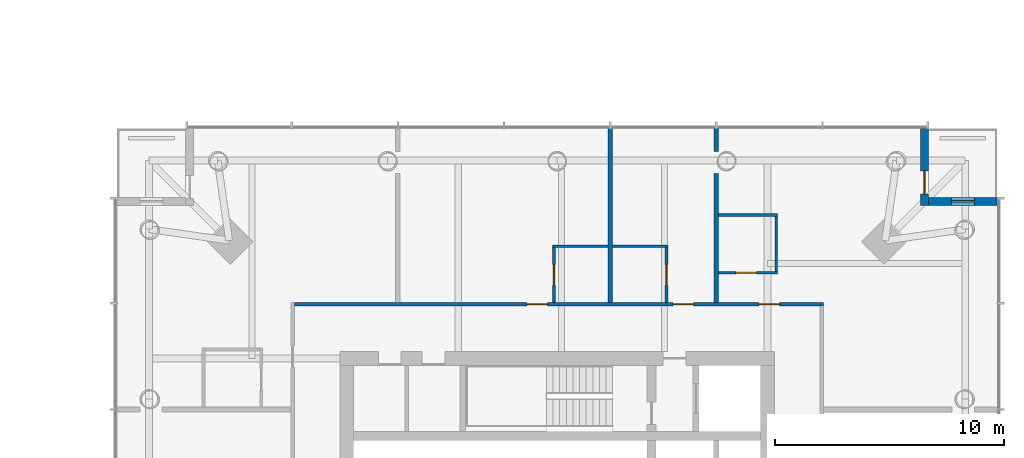
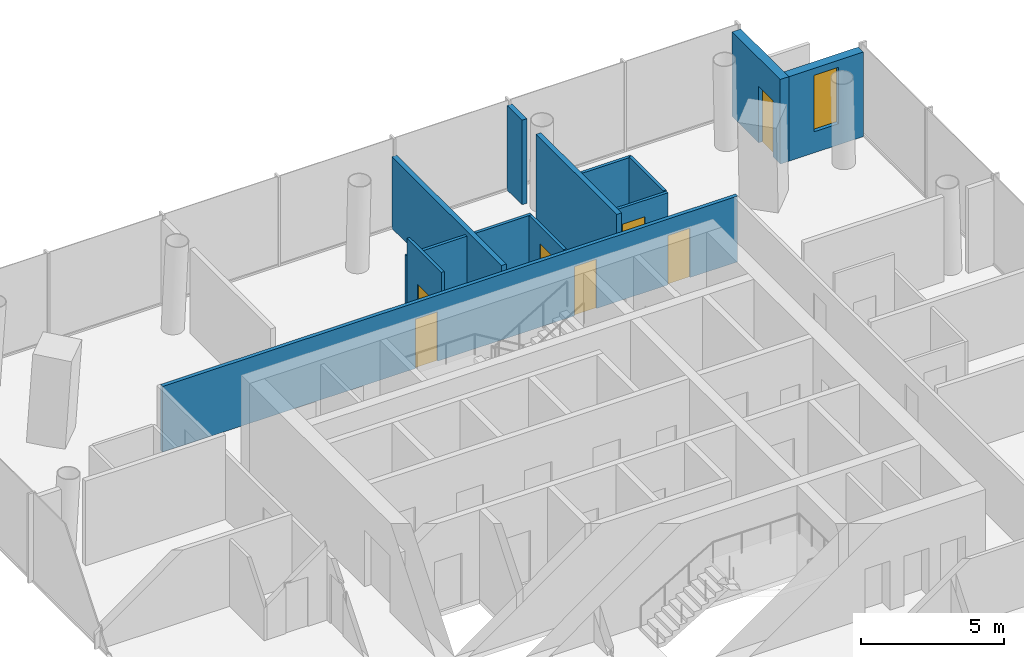
# One storey, part 17 of 21: 13 walls, 7 doors, 1 window, 8 openings.
"""IFC4 building model written with IfcOpenShell, lengths in metres."""

import ifcopenshell
import ifcopenshell.guid

model = None  # the IFC model being written
_history = None  # IfcOwnerHistory: only IFC2X3 demands one
_inside = {}  # id of a spatial element -> (the spatial element, [elements in it])
_under = {}  # id of a project, library or spatial element -> (it, [spatial elements below it])
_declared = {}  # id of a project -> (the project, [libraries it declares])
_typed = {}  # id of a type object -> (the type object, [elements of that type])
_made_of = {}  # id of a material, layer set ... -> (it, [elements and type objects made of it])


def new_model(schema):
    """Start an empty IFC model of exactly this schema.

    Asked for "IFC4X3", IfcOpenShell would pick the latest addendum, in which some entities
    have other attributes; the version numbers below select the first issue.
    IFC2X3 requires an IfcOwnerHistory on every rooted entity: one is made here for all.
    """
    global model, _history
    if schema == "IFC4X3":
        model = ifcopenshell.file(schema_version=(4, 3, 0, 0))
    else:
        model = ifcopenshell.file(schema=schema)
    _inside.clear()
    _under.clear()
    _declared.clear()
    _typed.clear()
    _made_of.clear()
    _history = None
    if model.schema == "IFC2X3":
        org = make("IfcOrganization", Name="unknown")
        user = make(
            "IfcPersonAndOrganization",
            ThePerson=make("IfcPerson", FamilyName="unknown"),
            TheOrganization=org,
        )
        app = make(
            "IfcApplication",
            ApplicationDeveloper=org,
            Version="unknown",
            ApplicationFullName="unknown",
            ApplicationIdentifier="unknown",
        )
        _history = make(
            "IfcOwnerHistory",
            OwningUser=user,
            OwningApplication=app,
            ChangeAction="ADDED",
            CreationDate=0,
        )
    return model


def make(cls, **values):
    """One entity of the class cls with the attributes given. An attribute that is None is left unset."""
    return model.create_entity(
        cls, **{name: value for name, value in values.items() if value is not None}
    )


def rooted(cls, **values):
    """An entity with a GlobalId (a new one), such as an element, a storey or a relation."""
    return make(cls, GlobalId=ifcopenshell.guid.new(), OwnerHistory=_history, **values)


def si_unit(unit_type, name, prefix=None):
    """IfcSIUnit, for example si_unit("LENGTHUNIT", "METRE", prefix="MILLI")."""
    return make("IfcSIUnit", UnitType=unit_type, Prefix=prefix, Name=name)


def assignment(units):
    """IfcUnitAssignment: the units of a project."""
    return None if units is None else make("IfcUnitAssignment", Units=units)


def point(xyz):
    """IfcCartesianPoint."""
    return None if xyz is None else make("IfcCartesianPoint", Coordinates=xyz)


def direction(xyz):
    """IfcDirection."""
    return None if xyz is None else make("IfcDirection", DirectionRatios=xyz)


def frame(location, z_axis=None, x_axis=None):
    """IfcAxis2Placement3D, a coordinate frame: its origin and axes. An axis left out is left unset."""
    return make(
        "IfcAxis2Placement3D",
        Location=point(location),
        Axis=direction(z_axis),
        RefDirection=direction(x_axis),
    )


def frame_2d(location, x_axis=None):
    """IfcAxis2Placement2D, a coordinate frame in the plane: its origin and x axis."""
    return make(
        "IfcAxis2Placement2D", Location=point(location), RefDirection=direction(x_axis)
    )


def origin():
    """The frame at (0, 0, 0) with its axes left unset."""
    return frame((0.0, 0.0, 0.0))


def place(relative_to, where):
    """IfcLocalPlacement: puts the frame where relative to a parent placement (None: the world)."""
    return make(
        "IfcLocalPlacement", PlacementRelTo=relative_to, RelativePlacement=where
    )


def context(
    kind, dimensions, precision=None, world=None, true_north=None, identifier=None
):
    """IfcGeometricRepresentationContext, for example the 3D "Model" context."""
    return make(
        "IfcGeometricRepresentationContext",
        ContextIdentifier=identifier,
        ContextType=kind,
        CoordinateSpaceDimension=dimensions,
        Precision=precision,
        WorldCoordinateSystem=world,
        TrueNorth=true_north,
    )


def subcontext(parent, identifier, kind, view, scale=None):
    """IfcGeometricRepresentationSubContext, for example "Body" below "Model"."""
    return make(
        "IfcGeometricRepresentationSubContext",
        ContextIdentifier=identifier,
        ContextType=kind,
        ParentContext=parent,
        TargetScale=scale,
        TargetView=view,
    )


def project(units=None, contexts=None):
    """IfcProject with its units and contexts."""
    return rooted(
        "IfcProject",
        Name="project",
        RepresentationContexts=contexts,
        UnitsInContext=assignment(units),
    )


def spatial(cls, under=None, at=None, **own):
    """A site, building, storey or space (cls), placed at a placement, below another one or the project."""
    s = rooted(cls, ObjectPlacement=at, **own)
    if under is not None:
        _under.setdefault(under.id(), (under, []))[1].append(s)
    return s


def profile(cls, at=None, kind="AREA", **sizes):
    """A parametric profile (cls). Its sizes go by their IFC names, for example OverallWidth=200.0."""
    return make(cls, ProfileType=kind, Position=at, **sizes)


def rectangle(**sizes):
    """IfcRectangleProfileDef."""
    return profile("IfcRectangleProfileDef", **sizes)


def extrude(swept, where, along, depth):
    """IfcExtrudedAreaSolid: the profile swept, set in the frame where, extruded along a direction by depth."""
    return make(
        "IfcExtrudedAreaSolid",
        SweptArea=swept,
        Position=where,
        ExtrudedDirection=direction(along),
        Depth=depth,
    )


def shape(context_of_items, identifier, shape_type, items):
    """IfcShapeRepresentation: the items that make up one representation, for example the "Body"."""
    return make(
        "IfcShapeRepresentation",
        ContextOfItems=context_of_items,
        RepresentationIdentifier=identifier,
        RepresentationType=shape_type,
        Items=items,
    )


def material(Name=None, Category=None):
    """IfcMaterial."""
    return make("IfcMaterial", Name=Name, Category=Category)


def layer(
    of_material, thickness, ventilated=None, Name=None, Category=None, Priority=None
):
    """IfcMaterialLayer: one layer of a wall or slab, of a material (None: an air gap)."""
    return make(
        "IfcMaterialLayer",
        Material=of_material,
        LayerThickness=thickness,
        IsVentilated=ventilated,
        Name=Name,
        Category=Category,
        Priority=Priority,
    )


def layer_set(layers, Name=None):
    """IfcMaterialLayerSet."""
    return make("IfcMaterialLayerSet", MaterialLayers=layers, LayerSetName=Name)


def made_of(thing, what):
    """Note that an element or type object is made of a material, layer set ...; save() writes the relation."""
    if what is not None:
        _made_of.setdefault(what.id(), (what, []))[1].append(thing)
    return thing


def type_object(cls, material=None, **own):
    """A type object (cls), such as IfcWallType, which elements share."""
    return made_of(rooted(cls, **own), material)


def element(
    cls,
    number,
    at=None,
    inside=None,
    cuts=None,
    type_object=None,
    material=None,
    context=None,
    identifier="Body",
    shape_type=None,
    held_by="IfcProductDefinitionShape",
    body=None,
    shapes=None,
    **own,
):
    """One element of the class cls, such as IfcWall. Its Tag is "e" and its number.

    at: its placement. inside: the storey or other place that contains it. cuts: it is an
    opening in that element (IfcRelVoidsElement). A single representation is given by context,
    identifier, shape_type and body (its items); several are given by shapes. held_by: the class
    of the entity that holds the representations. save() writes the other relations.
    """
    e = rooted(cls, Tag="e%d" % number, ObjectPlacement=at, **own)
    if body is not None:
        shapes = [shape(context, identifier, shape_type, body)]
    if shapes is not None:
        e.Representation = make(held_by, Representations=shapes)
    if inside is not None:
        _inside.setdefault(inside.id(), (inside, []))[1].append(e)
    if cuts is not None:
        rooted(
            "IfcRelVoidsElement", RelatingBuildingElement=cuts, RelatedOpeningElement=e
        )
    if type_object is not None:
        _typed.setdefault(type_object.id(), (type_object, []))[1].append(e)
    return made_of(e, material)


def fill(opening, filler):
    """IfcRelFillsElement: the door or window that sits in an opening."""
    return rooted(
        "IfcRelFillsElement",
        RelatingOpeningElement=opening,
        RelatedBuildingElement=filler,
    )


def aggregate(whole, parts):
    """IfcRelAggregates: a whole, such as a stair, and the parts it consists of."""
    return rooted("IfcRelAggregates", RelatingObject=whole, RelatedObjects=parts)


def save(model, path):
    """Write the relations noted so far, then the file.

    IfcRelAggregates (storeys below a building ...), IfcRelContainedInSpatialStructure (elements
    in a storey), IfcRelDefinesByType, IfcRelAssociatesMaterial and IfcRelDeclares: one each for
    every whole, place, type object, material and project.
    """
    for whole, parts in _under.values():
        aggregate(whole, parts)
    for where, things in _inside.values():
        rooted(
            "IfcRelContainedInSpatialStructure",
            RelatedElements=things,
            RelatingStructure=where,
        )
    for kind, things in _typed.values():
        rooted("IfcRelDefinesByType", RelatedObjects=things, RelatingType=kind)
    for what, things in _made_of.values():
        rooted("IfcRelAssociatesMaterial", RelatedObjects=things, RelatingMaterial=what)
    for by, libraries in _declared.values():
        rooted("IfcRelDeclares", RelatingContext=by, RelatedDefinitions=libraries)
    model.write(path)


model = new_model("IFC4")

# Units and contexts
model_context = context("Model", 3, precision=1e-05, world=origin(), true_north=direction((0.0, 1.0)))
body_context = subcontext(model_context, "Body", "Model", "MODEL_VIEW")
ifc_project = project(units=[si_unit("LENGTHUNIT", "METRE"), si_unit("AREAUNIT", "SQUARE_METRE"), si_unit("VOLUMEUNIT", "CUBIC_METRE"), si_unit("PLANEANGLEUNIT", "RADIAN"), si_unit("MASSUNIT", "GRAM", prefix="KILO")], contexts=[model_context])

# Site, building, storey
site_placement = place(None, origin())
site = spatial("IfcSite", under=ifc_project, at=site_placement, CompositionType="ELEMENT")
building_placement = place(site_placement, origin())
building = spatial("IfcBuilding", under=site, at=building_placement, Name="Ostroluk Exchange", CompositionType="ELEMENT")
storey_placement = place(building_placement, frame((0.0, 0.0, 47.60009765625)))
storey = spatial("IfcBuildingStorey", under=building, at=storey_placement, Name="L11", CompositionType="ELEMENT", Elevation=47.60009765625)

# Wall, opening, door
ifc_material_1 = material(Name="Limestone", Category="masonry")
ifc_layer_1 = layer(ifc_material_1, 0.35009765625)
ifc_layer_set_1 = layer_set([ifc_layer_1], Name="Limestone facade wall 350")
wall_type_1 = type_object("IfcWallType", Name="Limestone facade wall 350", PredefinedType="SOLIDWALL", material=ifc_layer_set_1)
wall_1_placement = place(storey_placement, frame((133.074951171875, 65.25, 0.0), z_axis=(0.0, 0.0, 1.0), x_axis=(0.0, -1.0, 0.0)))
wall_1 = element("IfcWall", 1, at=wall_1_placement, inside=storey, type_object=wall_type_1, Name="Hotel tower NE corner wall L11 a", PredefinedType="SOLIDWALL", context=body_context, shape_type="SweptSolid", body=[
    extrude(rectangle(XDim=3.35009765625, YDim=0.35009765625, at=frame_2d((1.675048828125, 0.0))), origin(), (0.0, 0.0, 1.0), 3.599853515625),
])
opening_1_placement = place(wall_1_placement, frame((1.85009765625, 0.0, 0.0)))
opening_1 = element("IfcOpeningElement", 2, at=opening_1_placement, cuts=wall_1, Name="Opening D-B1", PredefinedType="OPENING", context=body_context, shape_type="SweptSolid", body=[
    extrude(rectangle(XDim=1.0, YDim=2.39990234375, at=frame_2d((0.5, 1.199951171875))), frame((0.0, 0.18505859375, 0.0), z_axis=(0.0, -1.0, 0.0), x_axis=(1.0, 0.0, 0.0)), (0.0, 0.0, 1.0), 0.3701171875),
])
ifc_material_2 = material(Name="Bronze framed glazed door", Category="aluminium")
door_type_1 = type_object("IfcDoorType", Name="Balcony door 1000 x 2400", OperationType="SINGLE_SWING_LEFT", PredefinedType="DOOR", material=ifc_material_2)
door_1_placement = place(opening_1_placement, origin())
door_1 = element("IfcDoor", 3, at=door_1_placement, inside=storey, type_object=door_type_1, Name="Hotel tower NE balcony door L11", OperationType="SINGLE_SWING_RIGHT", OverallHeight=2.39990234375, OverallWidth=1.0, PredefinedType="DOOR", context=body_context, shape_type="SweptSolid", body=[
    extrude(rectangle(XDim=1.0, YDim=2.39990234375, at=frame_2d((0.5, 1.199951171875))), frame((0.0, 0.02490234375, 0.0), z_axis=(0.0, -1.0, 0.0), x_axis=(1.0, 0.0, 0.0)), (0.0, 0.0, 1.0), 0.050048828125),
])
fill(opening_1, door_1)

# Wall, opening, window
wall_2_placement = place(storey_placement, frame((133.25, 62.074951171875, 0.0), z_axis=(0.0, 0.0, 1.0), x_axis=(1.0, 0.0, 0.0)))
wall_2 = element("IfcWall", 4, at=wall_2_placement, inside=storey, type_object=wall_type_1, Name="Hotel tower NE corner wall L11 b", PredefinedType="SOLIDWALL", context=body_context, shape_type="SweptSolid", body=[
    extrude(rectangle(XDim=3.0, YDim=0.35009765625, at=frame_2d((1.5, 0.0))), origin(), (0.0, 0.0, 1.0), 3.599853515625),
])
opening_2_placement = place(wall_2_placement, frame((1.0, 0.0, 0.89990234375)))
opening_2 = element("IfcOpeningElement", 5, at=opening_2_placement, cuts=wall_2, Name="Opening WN-L3", PredefinedType="OPENING", context=body_context, shape_type="SweptSolid", body=[
    extrude(rectangle(XDim=1.0, YDim=2.39990234375, at=frame_2d((0.5, 1.199951171875))), frame((0.0, 0.18505859375, 0.0), z_axis=(0.0, -1.0, 0.0), x_axis=(1.0, 0.0, 0.0)), (0.0, 0.0, 1.0), 0.3701171875),
])
ifc_material_3 = material(Name="Laminated clear glass", Category="glass")
window_type = type_object("IfcWindowType", Name="Hotel lancet window 1000 x 2400", PartitioningType="SINGLE_PANEL", PredefinedType="WINDOW", material=ifc_material_3)
window_placement = place(opening_2_placement, origin())
window = element("IfcWindow", 6, at=window_placement, inside=storey, type_object=window_type, Name="Hotel tower NE lancet window L11", OverallHeight=2.39990234375, OverallWidth=1.0, PartitioningType="SINGLE_PANEL", PredefinedType="WINDOW", context=body_context, shape_type="SweptSolid", body=[
    extrude(rectangle(XDim=1.0, YDim=2.39990234375, at=frame_2d((0.5, 1.199951171875))), frame((0.0, 0.030029296875, 0.0), z_axis=(0.0, -1.0, 0.0), x_axis=(1.0, 0.0, 0.0)), (0.0, 0.0, 1.0), 0.06005859375),
])
fill(opening_2, window)

# Wall, opening, door
ifc_material_4 = material(Name="Gypsum plasterboard partition, moisture resistant", Category="gypsum")
ifc_layer_2 = layer(ifc_material_4, 0.1201171875)
ifc_layer_set_2 = layer_set([ifc_layer_2], Name="Plasterboard en-suite wall 120")
wall_type_2 = type_object("IfcWallType", Name="Plasterboard en-suite wall 120", PredefinedType="PARTITIONING", material=ifc_layer_set_2)
wall_3_placement = place(storey_placement, frame((124.064208984375, 58.949951171875, 0.0), z_axis=(0.0, 0.0, 1.0), x_axis=(1.0, 0.0, 0.0)))
wall_3 = element("IfcWall", 7, at=wall_3_placement, inside=storey, type_object=wall_type_2, Name="En-suite wall", PredefinedType="PARTITIONING", context=body_context, shape_type="SweptSolid", body=[
    extrude(rectangle(XDim=2.580078125, YDim=0.1201171875, at=frame_2d((1.2900390625, 0.0))), origin(), (0.0, 0.0, 1.0), 2.7998046875),
])
opening_3_placement = place(wall_3_placement, frame((0.75, 0.0, 0.0)))
opening_3 = element("IfcOpeningElement", 8, at=opening_3_placement, cuts=wall_3, Name="Opening D-02", PredefinedType="OPENING", context=body_context, shape_type="SweptSolid", body=[
    extrude(rectangle(XDim=0.89990234375, YDim=2.10009765625, at=frame_2d((0.449951171875, 1.050048828125))), frame((0.0, 0.070068359375, 0.0), z_axis=(0.0, -1.0, 0.0), x_axis=(1.0, 0.0, 0.0)), (0.0, 0.0, 1.0), 0.14013671875),
])
ifc_material_5 = material(Name="Timber", Category="wood")
door_type_2 = type_object("IfcDoorType", Name="En-suite door 900 x 2100", OperationType="SINGLE_SWING_LEFT", PredefinedType="DOOR", material=ifc_material_5)
door_2_placement = place(opening_3_placement, origin())
door_2 = element("IfcDoor", 9, at=door_2_placement, inside=storey, type_object=door_type_2, Name="En-suite door 1104", OperationType="SINGLE_SWING_LEFT", OverallHeight=2.10009765625, OverallWidth=0.89990234375, PredefinedType="DOOR", context=body_context, shape_type="SweptSolid", body=[
    extrude(rectangle(XDim=0.89990234375, YDim=2.10009765625, at=frame_2d((0.449951171875, 1.050048828125))), frame((0.0, 0.02490234375, 0.0), z_axis=(0.0, -1.0, 0.0), x_axis=(1.0, 0.0, 0.0)), (0.0, 0.0, 1.0), 0.050048828125),
])
fill(opening_3, door_2)

# Walls
wall_4_placement = place(storey_placement, frame((124.064208984375, 61.469970703125, 0.0), z_axis=(0.0, 0.0, 1.0), x_axis=(1.0, 0.0, 0.0)))
element("IfcWall", 10, at=wall_4_placement, inside=storey, type_object=wall_type_2, Name="En-suite wall", PredefinedType="PARTITIONING", context=body_context, shape_type="SweptSolid", body=[
    extrude(rectangle(XDim=2.580078125, YDim=0.1201171875, at=frame_2d((1.2900390625, 0.0))), origin(), (0.0, 0.0, 1.0), 2.7998046875),
])
wall_5_placement = place(storey_placement, frame((126.584228515625, 59.010009765625, 0.0), z_axis=(0.0, 0.0, 1.0), x_axis=(0.0, 1.0, 0.0)))
element("IfcWall", 11, at=wall_5_placement, inside=storey, type_object=wall_type_2, Name="En-suite wall", PredefinedType="PARTITIONING", context=body_context, shape_type="SweptSolid", body=[
    extrude(rectangle(XDim=2.39990234375, YDim=0.1201171875, at=frame_2d((1.199951171875, 0.0))), origin(), (0.0, 0.0, 1.0), 2.846923828125),
])
wall_6_placement = place(storey_placement, frame((121.84130859375, 60.110107421875, 0.0), z_axis=(0.0, 0.0, 1.0), x_axis=(-1.0, 0.0, 0.0)))
element("IfcWall", 12, at=wall_6_placement, inside=storey, type_object=wall_type_2, Name="En-suite wall", PredefinedType="PARTITIONING", context=body_context, shape_type="SweptSolid", body=[
    extrude(rectangle(XDim=2.419921875, YDim=0.1201171875, at=frame_2d((1.2099609375, 0.0))), origin(), (0.0, 0.0, 1.0), 2.846923828125),
])

# Wall, opening, door
wall_7_placement = place(storey_placement, frame((121.781494140625, 57.64990234375, 0.0), z_axis=(0.0, 0.0, 1.0), x_axis=(0.0, 1.0, 0.0)))
wall_7 = element("IfcWall", 13, at=wall_7_placement, inside=storey, type_object=wall_type_2, Name="En-suite wall", PredefinedType="PARTITIONING", context=body_context, shape_type="SweptSolid", body=[
    extrude(rectangle(XDim=2.400146484375, YDim=0.1201171875, at=frame_2d((1.2001953125, 0.0))), origin(), (0.0, 0.0, 1.0), 2.846923828125),
])
opening_4_placement = place(wall_7_placement, frame((0.75, 0.0, 0.0)))
opening_4 = element("IfcOpeningElement", 14, at=opening_4_placement, cuts=wall_7, Name="Opening D-02", PredefinedType="OPENING", context=body_context, shape_type="SweptSolid", body=[
    extrude(rectangle(XDim=0.89990234375, YDim=2.10009765625, at=frame_2d((0.449951171875, 1.050048828125))), frame((0.0, 0.070068359375, 0.0), z_axis=(0.0, -1.0, 0.0), x_axis=(1.0, 0.0, 0.0)), (0.0, 0.0, 1.0), 0.14013671875),
])
door_3_placement = place(opening_4_placement, origin())
door_3 = element("IfcDoor", 15, at=door_3_placement, inside=storey, type_object=door_type_2, Name="En-suite door 1105", OperationType="SINGLE_SWING_RIGHT", OverallHeight=2.10009765625, OverallWidth=0.89990234375, PredefinedType="DOOR", context=body_context, shape_type="SweptSolid", body=[
    extrude(rectangle(XDim=0.89990234375, YDim=2.10009765625, at=frame_2d((0.449951171875, 1.050048828125))), frame((0.0, 0.02490234375, 0.0), z_axis=(0.0, -1.0, 0.0), x_axis=(1.0, 0.0, 0.0)), (0.0, 0.0, 1.0), 0.050048828125),
])
fill(opening_4, door_3)

# Wall
wall_8_placement = place(storey_placement, frame((119.221435546875, 60.110107421875, 0.0), z_axis=(0.0, 0.0, 1.0), x_axis=(-1.0, 0.0, 0.0)))
element("IfcWall", 16, at=wall_8_placement, inside=storey, type_object=wall_type_2, Name="En-suite wall", PredefinedType="PARTITIONING", context=body_context, shape_type="SweptSolid", body=[
    extrude(rectangle(XDim=2.419921875, YDim=0.1201171875, at=frame_2d((1.2099609375, 0.0))), origin(), (0.0, 0.0, 1.0), 2.846923828125),
])

# Wall, opening, door
wall_9_placement = place(storey_placement, frame((116.861328125, 57.64990234375, 0.0), z_axis=(0.0, 0.0, 1.0), x_axis=(0.0, 1.0, 0.0)))
wall_9 = element("IfcWall", 17, at=wall_9_placement, inside=storey, type_object=wall_type_2, Name="En-suite wall", PredefinedType="PARTITIONING", context=body_context, shape_type="SweptSolid", body=[
    extrude(rectangle(XDim=2.400146484375, YDim=0.1201171875, at=frame_2d((1.2001953125, 0.0))), origin(), (0.0, 0.0, 1.0), 3.599853515625),
])
opening_5_placement = place(wall_9_placement, frame((0.75, 0.0, 0.0)))
opening_5 = element("IfcOpeningElement", 18, at=opening_5_placement, cuts=wall_9, Name="Opening D-02", PredefinedType="OPENING", context=body_context, shape_type="SweptSolid", body=[
    extrude(rectangle(XDim=0.89990234375, YDim=2.10009765625, at=frame_2d((0.449951171875, 1.050048828125))), frame((0.0, 0.070068359375, 0.0), z_axis=(0.0, -1.0, 0.0), x_axis=(1.0, 0.0, 0.0)), (0.0, 0.0, 1.0), 0.14013671875),
])
door_4_placement = place(opening_5_placement, origin())
door_4 = element("IfcDoor", 19, at=door_4_placement, inside=storey, type_object=door_type_2, Name="En-suite door 1106", OperationType="SINGLE_SWING_RIGHT", OverallHeight=2.10009765625, OverallWidth=0.89990234375, PredefinedType="DOOR", context=body_context, shape_type="SweptSolid", body=[
    extrude(rectangle(XDim=0.89990234375, YDim=2.10009765625, at=frame_2d((0.449951171875, 1.050048828125))), frame((0.0, 0.02490234375, 0.0), z_axis=(0.0, -1.0, 0.0), x_axis=(1.0, 0.0, 0.0)), (0.0, 0.0, 1.0), 0.050048828125),
])
fill(opening_5, door_4)

# Wall, openings, doors
ifc_material_6 = material(Name="Gypsum plasterboard partition", Category="gypsum")
ifc_layer_3 = layer(ifc_material_6, 0.14990234375)
ifc_layer_set_3 = layer_set([ifc_layer_3], Name="Plasterboard partition 150")
wall_type_3 = type_object("IfcWallType", Name="Plasterboard partition 150", PredefinedType="PARTITIONING", material=ifc_layer_set_3)
wall_10_placement = place(storey_placement, frame((128.64990234375, 57.574951171875, 0.0), z_axis=(0.0, 0.0, 1.0), x_axis=(-1.0, 0.0, 0.0)))
wall_10 = element("IfcWall", 20, at=wall_10_placement, inside=storey, type_object=wall_type_3, Name="Corridor wall", PredefinedType="PARTITIONING", context=body_context, shape_type="SweptSolid", body=[
    extrude(rectangle(XDim=23.14990234375, YDim=0.14990234375, at=frame_2d((11.574951171875, 0.0))), origin(), (0.0, 0.0, 1.0), 2.7998046875),
])
opening_6_placement = place(wall_10_placement, frame((1.91796875, 0.0, 0.0)))
opening_6 = element("IfcOpeningElement", 21, at=opening_6_placement, cuts=wall_10, Name="Opening D-01", PredefinedType="OPENING", context=body_context, shape_type="SweptSolid", body=[
    extrude(rectangle(XDim=0.89990234375, YDim=2.10009765625, at=frame_2d((0.449951171875, 1.050048828125))), frame((0.0, 0.0849609375, 0.0), z_axis=(0.0, -1.0, 0.0), x_axis=(1.0, 0.0, 0.0)), (0.0, 0.0, 1.0), 0.169921875),
])
opening_7_placement = place(wall_10_placement, frame((5.678466796875, 0.0, 0.0)))
opening_7 = element("IfcOpeningElement", 22, at=opening_7_placement, cuts=wall_10, Name="Opening D-01", PredefinedType="OPENING", context=body_context, shape_type="SweptSolid", body=[
    extrude(rectangle(XDim=0.89990234375, YDim=2.10009765625, at=frame_2d((0.449951171875, 1.050048828125))), frame((0.0, 0.0849609375, 0.0), z_axis=(0.0, -1.0, 0.0), x_axis=(1.0, 0.0, 0.0)), (0.0, 0.0, 1.0), 0.169921875),
])
opening_8_placement = place(wall_10_placement, frame((12.07861328125, 0.0, 0.0)))
opening_8 = element("IfcOpeningElement", 23, at=opening_8_placement, cuts=wall_10, Name="Opening D-01", PredefinedType="OPENING", context=body_context, shape_type="SweptSolid", body=[
    extrude(rectangle(XDim=0.89990234375, YDim=2.10009765625, at=frame_2d((0.449951171875, 1.050048828125))), frame((0.0, 0.0849609375, 0.0), z_axis=(0.0, -1.0, 0.0), x_axis=(1.0, 0.0, 0.0)), (0.0, 0.0, 1.0), 0.169921875),
])
ifc_material_7 = material(Name="Timber", Category="wood")
door_type_3 = type_object("IfcDoorType", Name="Hotel room door EI 30 Sa 900 x 2100", OperationType="SINGLE_SWING_LEFT", PredefinedType="DOOR", material=ifc_material_7)
door_5_placement = place(opening_6_placement, origin())
door_5 = element("IfcDoor", 24, at=door_5_placement, inside=storey, type_object=door_type_3, Name="Room door 1104", OperationType="SINGLE_SWING_LEFT", OverallHeight=2.10009765625, OverallWidth=0.89990234375, PredefinedType="DOOR", context=body_context, shape_type="SweptSolid", body=[
    extrude(rectangle(XDim=0.89990234375, YDim=2.10009765625, at=frame_2d((0.449951171875, 1.050048828125))), frame((0.0, 0.02490234375, 0.0), z_axis=(0.0, -1.0, 0.0), x_axis=(1.0, 0.0, 0.0)), (0.0, 0.0, 1.0), 0.050048828125),
])
fill(opening_6, door_5)
door_6_placement = place(opening_7_placement, origin())
door_6 = element("IfcDoor", 25, at=door_6_placement, inside=storey, type_object=door_type_3, Name="Room door 1105", OperationType="SINGLE_SWING_LEFT", OverallHeight=2.10009765625, OverallWidth=0.89990234375, PredefinedType="DOOR", context=body_context, shape_type="SweptSolid", body=[
    extrude(rectangle(XDim=0.89990234375, YDim=2.10009765625, at=frame_2d((0.449951171875, 1.050048828125))), frame((0.0, 0.02490234375, 0.0), z_axis=(0.0, -1.0, 0.0), x_axis=(1.0, 0.0, 0.0)), (0.0, 0.0, 1.0), 0.050048828125),
])
fill(opening_7, door_6)
door_7_placement = place(opening_8_placement, origin())
door_7 = element("IfcDoor", 26, at=door_7_placement, inside=storey, type_object=door_type_3, Name="Room door 1106", OperationType="SINGLE_SWING_RIGHT", OverallHeight=2.10009765625, OverallWidth=0.89990234375, PredefinedType="DOOR", context=body_context, shape_type="SweptSolid", body=[
    extrude(rectangle(XDim=0.89990234375, YDim=2.10009765625, at=frame_2d((0.449951171875, 1.050048828125))), frame((0.0, 0.02490234375, 0.0), z_axis=(0.0, -1.0, 0.0), x_axis=(1.0, 0.0, 0.0)), (0.0, 0.0, 1.0), 0.050048828125),
])
fill(opening_8, door_7)

# Walls
ifc_material_8 = material(Name="Gypsum plasterboard partition", Category="gypsum")
ifc_layer_4 = layer(ifc_material_8, 0.199951171875)
ifc_layer_set_4 = layer_set([ifc_layer_4], Name="Plasterboard party wall 200")
wall_type_4 = type_object("IfcWallType", Name="Plasterboard party wall 200", PredefinedType="PARTITIONING", material=ifc_layer_set_4)
wall_11_placement = place(storey_placement, frame((123.96435546875, 57.64990234375, 0.0), z_axis=(0.0, 0.0, 1.0), x_axis=(0.0, 1.0, 0.0)))
element("IfcWall", 27, at=wall_11_placement, inside=storey, type_object=wall_type_4, Name="Party wall", PredefinedType="PARTITIONING", context=body_context, shape_type="SweptSolid", body=[
    extrude(rectangle(XDim=5.63330078125, YDim=0.199951171875, at=frame_2d((2.816650390625, 0.0))), origin(), (0.0, 0.0, 1.0), 3.599853515625),
])
wall_12_placement = place(storey_placement, frame((123.96435546875, 64.260009765625, 0.0), z_axis=(0.0, 0.0, 1.0), x_axis=(0.0, 1.0, 0.0)))
element("IfcWall", 28, at=wall_12_placement, inside=storey, type_object=wall_type_4, Name="Party wall", PredefinedType="PARTITIONING", context=body_context, shape_type="SweptSolid", body=[
    extrude(rectangle(XDim=1.030029296875, YDim=0.199951171875, at=frame_2d((0.51513671875, 0.0))), origin(), (0.0, 0.0, 1.0), 3.599853515625),
])
wall_13_placement = place(storey_placement, frame((119.321533203125, 57.64990234375, 0.0), z_axis=(0.0, 0.0, 1.0), x_axis=(0.0, 1.0, 0.0)))
element("IfcWall", 29, at=wall_13_placement, inside=storey, type_object=wall_type_4, Name="Party wall", PredefinedType="PARTITIONING", context=body_context, shape_type="SweptSolid", body=[
    extrude(rectangle(XDim=7.64013671875, YDim=0.199951171875, at=frame_2d((3.820068359375, 0.0))), origin(), (0.0, 0.0, 1.0), 3.0498046875),
])

save(model, "model.ifc")
